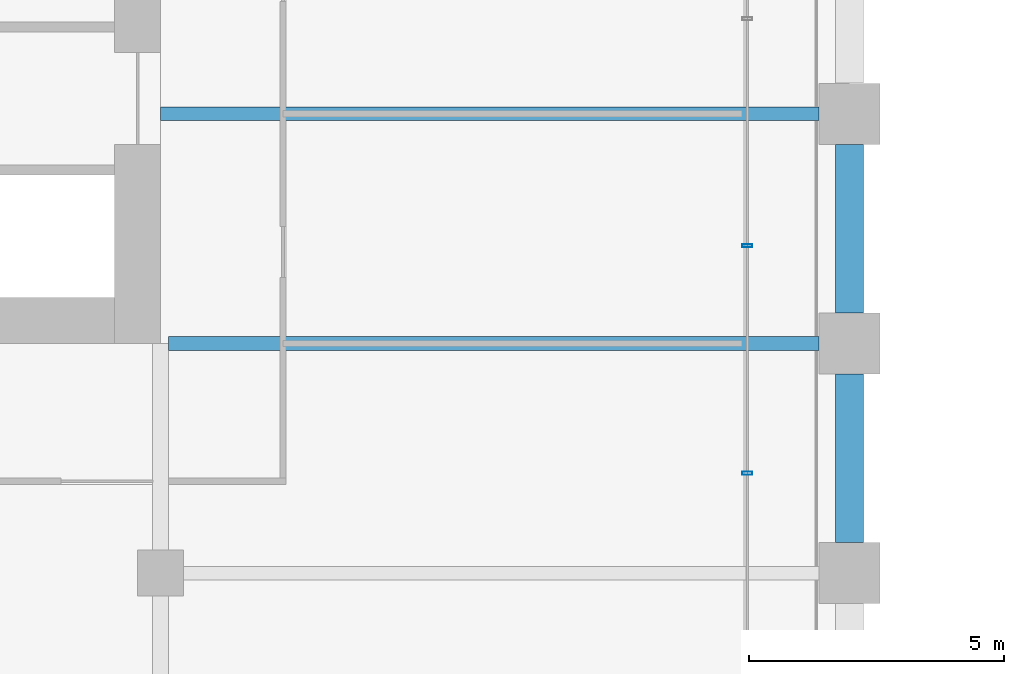
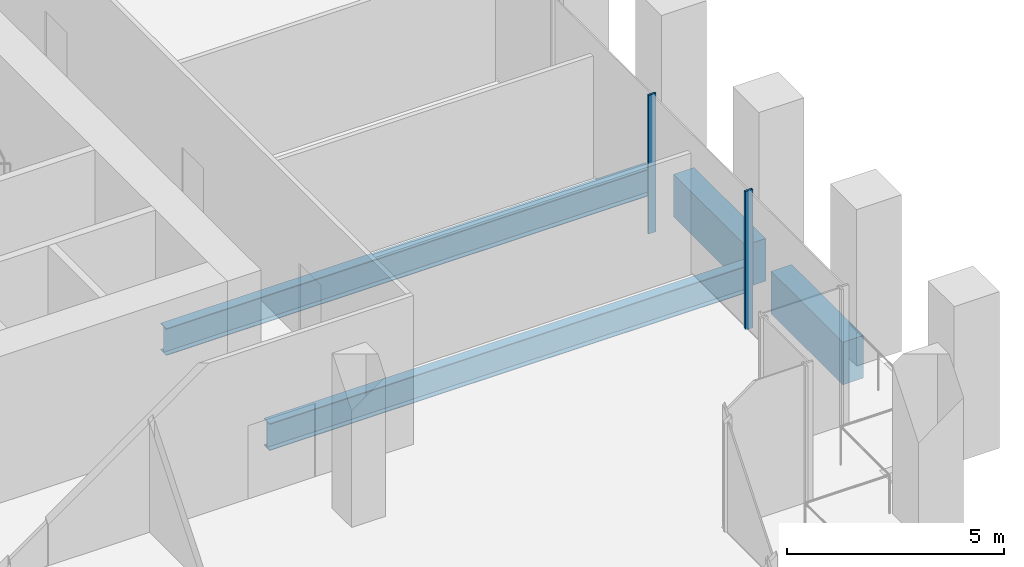
# One storey, part 10 of 36: 4 beams, 2 members, 1 element without a shape of its own.
"""IFC4 building model written with IfcOpenShell, lengths in metres."""

from ifc_helpers import new_model, si_unit, direction, frame, origin, origin_2d, place, context, subcontext, project, spatial, rectangle, hollow_rectangle, i_section, extrude, material, material_profile, profile_set, type_object, element, aggregate, save


model = new_model("IFC4")

# Units and contexts
model_context = context("Model", 3, precision=1e-05, world=origin(), true_north=direction((0.0, 1.0)))
body_context = subcontext(model_context, "Body", "Model", "MODEL_VIEW")
ifc_project = project(units=[si_unit("LENGTHUNIT", "METRE"), si_unit("AREAUNIT", "SQUARE_METRE"), si_unit("VOLUMEUNIT", "CUBIC_METRE"), si_unit("PLANEANGLEUNIT", "RADIAN"), si_unit("MASSUNIT", "GRAM", prefix="KILO")], contexts=[model_context])

# Site, building, storey
site_placement = place(None, origin())
site = spatial("IfcSite", under=ifc_project, at=site_placement, CompositionType="ELEMENT")
building_placement = place(site_placement, origin())
building = spatial("IfcBuilding", under=site, at=building_placement, Name="Altepetl Exchange Towers", CompositionType="ELEMENT")
storey_placement = place(building_placement, frame((0.0, 0.0, 38.60009765625)))
storey = spatial("IfcBuildingStorey", under=building, at=storey_placement, Name="L08", CompositionType="ELEMENT", Elevation=38.60009765625)

# Beams
ifc_material_1 = material(Name="Steel S355", Category="steel")
ifc_material_profile_1 = material_profile(ifc_material_1, i_section(OverallWidth=0.26611328125, OverallDepth=0.758056640625, WebThickness=0.013916015625, FlangeThickness=0.019287109375, at=origin_2d()), Name="W30X108")
ifc_profile_set_1 = profile_set([ifc_material_profile_1], Name="Steel S355")
beam_type_1 = type_object("IfcBeamType", Name="Floor beam W30X108", PredefinedType="BEAM", material=ifc_profile_set_1)
beam_1_placement = place(storey_placement, frame((58.654052734375, 40.5, -0.55419921875), z_axis=(1.0, 0.0, 0.0), x_axis=(0.0, 1.0, 0.0)))
element("IfcBeam", 1, at=beam_1_placement, inside=storey, type_object=beam_type_1, Name="bm:A:L08:008", PredefinedType="BEAM", context=body_context, shape_type="SweptSolid", body=[
    extrude(i_section(OverallWidth=0.26611328125, OverallDepth=0.758056640625, WebThickness=0.013916015625, FlangeThickness=0.019287109375, at=origin_2d()), origin(), (0.0, 0.0, 1.0), 12.745849609375),
])
beam_2_placement = place(storey_placement, frame((58.5, 45.0, -0.55419921875), z_axis=(1.0, 0.0, 0.0), x_axis=(0.0, 1.0, 0.0)))
element("IfcBeam", 2, at=beam_2_placement, inside=storey, type_object=beam_type_1, Name="bm:A:L08:009", PredefinedType="BEAM", context=body_context, shape_type="SweptSolid", body=[
    extrude(i_section(OverallWidth=0.26611328125, OverallDepth=0.758056640625, WebThickness=0.013916015625, FlangeThickness=0.019287109375, at=origin_2d()), origin(), (0.0, 0.0, 1.0), 12.89990234375),
])

# Curtain wall, members
ifc_material_2 = material(Name="Aluminium 6063-T6 glazing", Category="aluminium")
curtain_wall_type = type_object("IfcCurtainWallType", Name="Trading floor glazing system", PredefinedType="NOTDEFINED", material=ifc_material_2)
curtain_wall_placement = place(storey_placement, origin())
curtain_wall = element("IfcCurtainWall", 3, at=curtain_wall_placement, inside=storey, type_object=curtain_wall_type, Name="CW2 run", PredefinedType="NOTDEFINED")
ifc_material_3 = material(Name="Aluminium 6063-T6", Category="aluminium")
ifc_material_profile_2 = material_profile(ifc_material_3, hollow_rectangle(XDim=0.06005859375, YDim=0.199951171875, WallThickness=0.0029296875, at=origin_2d()), Name="Mullion 60x200 aluminium")
ifc_profile_set_2 = profile_set([ifc_material_profile_2], Name="Aluminium 6063-T6")
member_type = type_object("IfcMemberType", Name="Mullion 60x200 aluminium", PredefinedType="MULLION", material=ifc_profile_set_2)
member_1_placement = place(storey_placement, frame((70.0, 37.9560546875, 0.0), z_axis=(0.0, 0.0, 1.0), x_axis=(0.0, 1.0, 0.0)))
member_1 = element("IfcMember", 4, at=member_1_placement, type_object=member_type, Name="MU2 mullion", PredefinedType="MULLION", context=body_context, shape_type="SweptSolid", body=[
    extrude(hollow_rectangle(XDim=0.06005859375, YDim=0.199951171875, WallThickness=0.0029296875, at=origin_2d()), origin(), (0.0, 0.0, 1.0), 3.89990234375),
])
member_2_placement = place(storey_placement, frame((70.0, 42.412109375, 0.0), z_axis=(0.0, 0.0, 1.0), x_axis=(0.0, 1.0, 0.0)))
member_2 = element("IfcMember", 5, at=member_2_placement, type_object=member_type, Name="MU2 mullion", PredefinedType="MULLION", context=body_context, shape_type="SweptSolid", body=[
    extrude(hollow_rectangle(XDim=0.06005859375, YDim=0.199951171875, WallThickness=0.0029296875, at=origin_2d()), origin(), (0.0, 0.0, 1.0), 3.89990234375),
])
aggregate(curtain_wall, [member_1, member_2])

# Beams
ifc_material_4 = material(Name="Concrete C50/60 precast with cantera amarilla facing", Category="concrete")
ifc_material_profile_3 = material_profile(ifc_material_4, rectangle(XDim=0.550048828125, YDim=1.199951171875, at=origin_2d()), Name="550 x 1200")
ifc_profile_set_3 = profile_set([ifc_material_profile_3], Name="Concrete C50/60 precast with cantera amarilla facing")
beam_type_2 = type_object("IfcBeamType", Name="Spandrel beam 550x1200 cantera amarilla", PredefinedType="SPANDREL", material=ifc_profile_set_3)
for number, where, z_axis, x_axis, name in (
    (6, (72.0, 36.60009765625, -0.775146484375), (0.0, 1.0, 0.0), (-1.0, 0.0, 0.0), "sp:A:L08:013"),
    (7, (72.0, 41.10009765625, -0.775146484375), (0.0, 1.0, 0.0), (-1.0, 0.0, 0.0), "sp:A:L08:014"),
):
    element("IfcBeam", number, at=place(storey_placement, frame(where, z_axis=z_axis, x_axis=x_axis)), inside=storey, type_object=beam_type_2, Name=name, PredefinedType="SPANDREL", context=body_context, shape_type="SweptSolid", body=[
        extrude(rectangle(XDim=0.550048828125, YDim=1.199951171875, at=origin_2d()), origin(), (0.0, 0.0, 1.0), 3.2998046875),
    ])

save(model, "model.ifc")
